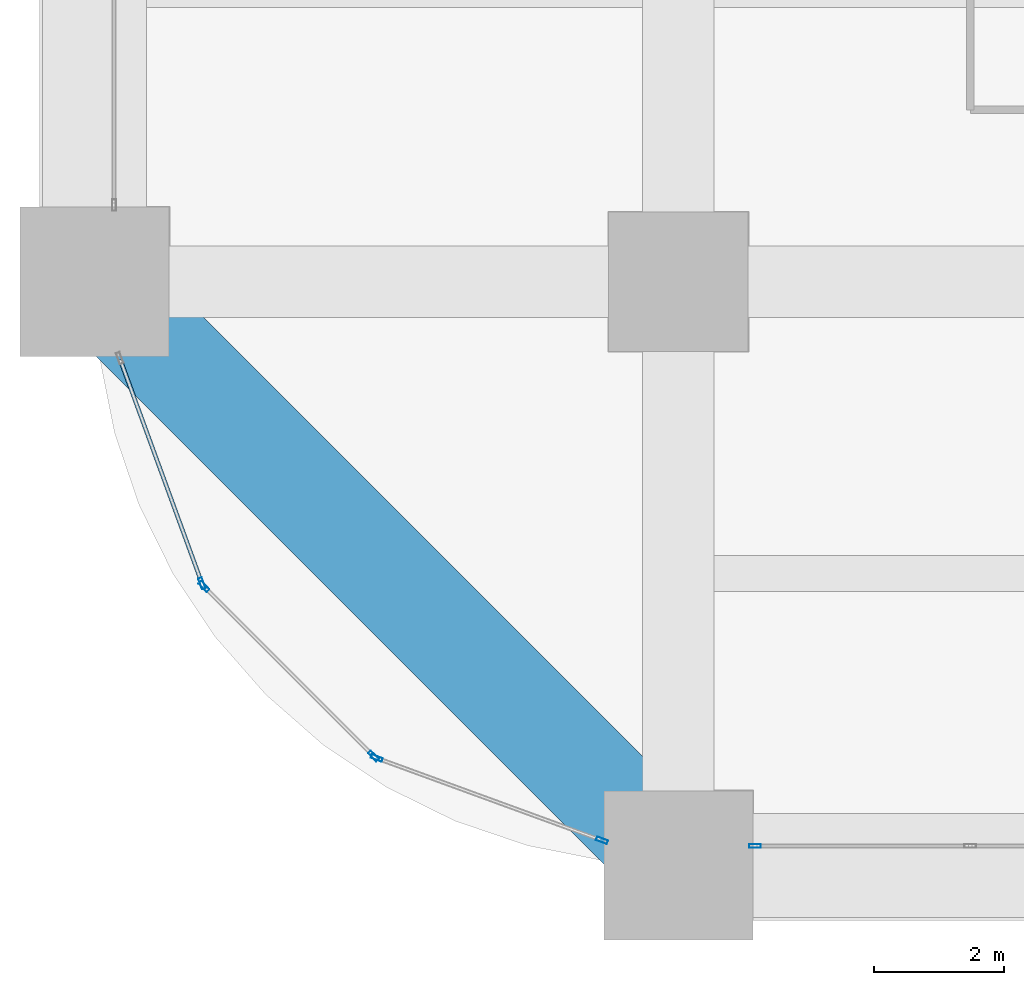
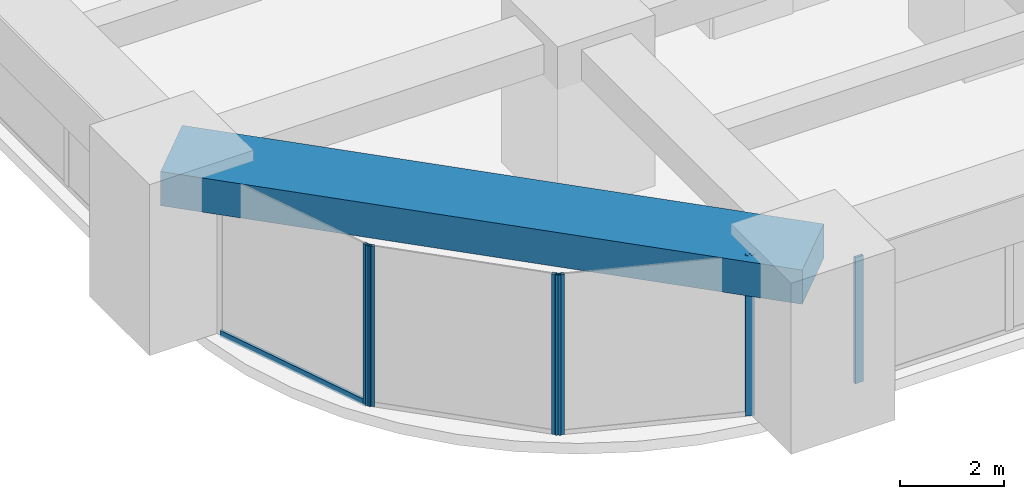
# One storey, part 2 of 43: 7 members, 1 beam, 4 elements without a shape of their own.
"""IFC4 building model written with IfcOpenShell, lengths in metres."""

import ifcopenshell
import ifcopenshell.guid

model = None  # the IFC model being written
_history = None  # IfcOwnerHistory: only IFC2X3 demands one
_inside = {}  # id of a spatial element -> (the spatial element, [elements in it])
_under = {}  # id of a project, library or spatial element -> (it, [spatial elements below it])
_declared = {}  # id of a project -> (the project, [libraries it declares])
_typed = {}  # id of a type object -> (the type object, [elements of that type])
_made_of = {}  # id of a material, layer set ... -> (it, [elements and type objects made of it])


def new_model(schema):
    """Start an empty IFC model of exactly this schema.

    Asked for "IFC4X3", IfcOpenShell would pick the latest addendum, in which some entities
    have other attributes; the version numbers below select the first issue.
    IFC2X3 requires an IfcOwnerHistory on every rooted entity: one is made here for all.
    """
    global model, _history
    if schema == "IFC4X3":
        model = ifcopenshell.file(schema_version=(4, 3, 0, 0))
    else:
        model = ifcopenshell.file(schema=schema)
    _inside.clear()
    _under.clear()
    _declared.clear()
    _typed.clear()
    _made_of.clear()
    _history = None
    if model.schema == "IFC2X3":
        org = make("IfcOrganization", Name="unknown")
        user = make(
            "IfcPersonAndOrganization",
            ThePerson=make("IfcPerson", FamilyName="unknown"),
            TheOrganization=org,
        )
        app = make(
            "IfcApplication",
            ApplicationDeveloper=org,
            Version="unknown",
            ApplicationFullName="unknown",
            ApplicationIdentifier="unknown",
        )
        _history = make(
            "IfcOwnerHistory",
            OwningUser=user,
            OwningApplication=app,
            ChangeAction="ADDED",
            CreationDate=0,
        )
    return model


def make(cls, **values):
    """One entity of the class cls with the attributes given. An attribute that is None is left unset."""
    return model.create_entity(
        cls, **{name: value for name, value in values.items() if value is not None}
    )


def rooted(cls, **values):
    """An entity with a GlobalId (a new one), such as an element, a storey or a relation."""
    return make(cls, GlobalId=ifcopenshell.guid.new(), OwnerHistory=_history, **values)


def si_unit(unit_type, name, prefix=None):
    """IfcSIUnit, for example si_unit("LENGTHUNIT", "METRE", prefix="MILLI")."""
    return make("IfcSIUnit", UnitType=unit_type, Prefix=prefix, Name=name)


def assignment(units):
    """IfcUnitAssignment: the units of a project."""
    return None if units is None else make("IfcUnitAssignment", Units=units)


def point(xyz):
    """IfcCartesianPoint."""
    return None if xyz is None else make("IfcCartesianPoint", Coordinates=xyz)


def direction(xyz):
    """IfcDirection."""
    return None if xyz is None else make("IfcDirection", DirectionRatios=xyz)


def frame(location, z_axis=None, x_axis=None):
    """IfcAxis2Placement3D, a coordinate frame: its origin and axes. An axis left out is left unset."""
    return make(
        "IfcAxis2Placement3D",
        Location=point(location),
        Axis=direction(z_axis),
        RefDirection=direction(x_axis),
    )


def frame_2d(location, x_axis=None):
    """IfcAxis2Placement2D, a coordinate frame in the plane: its origin and x axis."""
    return make(
        "IfcAxis2Placement2D", Location=point(location), RefDirection=direction(x_axis)
    )


def origin():
    """The frame at (0, 0, 0) with its axes left unset."""
    return frame((0.0, 0.0, 0.0))


def origin_2d():
    """The frame at (0, 0) in the plane with its x axis left unset."""
    return frame_2d((0.0, 0.0))


def place(relative_to, where):
    """IfcLocalPlacement: puts the frame where relative to a parent placement (None: the world)."""
    return make(
        "IfcLocalPlacement", PlacementRelTo=relative_to, RelativePlacement=where
    )


def context(
    kind, dimensions, precision=None, world=None, true_north=None, identifier=None
):
    """IfcGeometricRepresentationContext, for example the 3D "Model" context."""
    return make(
        "IfcGeometricRepresentationContext",
        ContextIdentifier=identifier,
        ContextType=kind,
        CoordinateSpaceDimension=dimensions,
        Precision=precision,
        WorldCoordinateSystem=world,
        TrueNorth=true_north,
    )


def subcontext(parent, identifier, kind, view, scale=None):
    """IfcGeometricRepresentationSubContext, for example "Body" below "Model"."""
    return make(
        "IfcGeometricRepresentationSubContext",
        ContextIdentifier=identifier,
        ContextType=kind,
        ParentContext=parent,
        TargetScale=scale,
        TargetView=view,
    )


def project(units=None, contexts=None):
    """IfcProject with its units and contexts."""
    return rooted(
        "IfcProject",
        Name="project",
        RepresentationContexts=contexts,
        UnitsInContext=assignment(units),
    )


def spatial(cls, under=None, at=None, **own):
    """A site, building, storey or space (cls), placed at a placement, below another one or the project."""
    s = rooted(cls, ObjectPlacement=at, **own)
    if under is not None:
        _under.setdefault(under.id(), (under, []))[1].append(s)
    return s


def profile(cls, at=None, kind="AREA", **sizes):
    """A parametric profile (cls). Its sizes go by their IFC names, for example OverallWidth=200.0."""
    return make(cls, ProfileType=kind, Position=at, **sizes)


def rectangle(**sizes):
    """IfcRectangleProfileDef."""
    return profile("IfcRectangleProfileDef", **sizes)


def hollow_rectangle(**sizes):
    """IfcRectangleHollowProfileDef."""
    return profile("IfcRectangleHollowProfileDef", **sizes)


def extrude(swept, where, along, depth):
    """IfcExtrudedAreaSolid: the profile swept, set in the frame where, extruded along a direction by depth."""
    return make(
        "IfcExtrudedAreaSolid",
        SweptArea=swept,
        Position=where,
        ExtrudedDirection=direction(along),
        Depth=depth,
    )


def shape(context_of_items, identifier, shape_type, items):
    """IfcShapeRepresentation: the items that make up one representation, for example the "Body"."""
    return make(
        "IfcShapeRepresentation",
        ContextOfItems=context_of_items,
        RepresentationIdentifier=identifier,
        RepresentationType=shape_type,
        Items=items,
    )


def material(Name=None, Category=None):
    """IfcMaterial."""
    return make("IfcMaterial", Name=Name, Category=Category)


def material_profile(
    of_material, cross_section, Name=None, Category=None, Priority=None
):
    """IfcMaterialProfile: a cross section and its material."""
    return make(
        "IfcMaterialProfile",
        Name=Name,
        Material=of_material,
        Profile=cross_section,
        Priority=Priority,
        Category=Category,
    )


def profile_set(profiles, Name=None, composite=None):
    """IfcMaterialProfileSet."""
    return make(
        "IfcMaterialProfileSet",
        Name=Name,
        MaterialProfiles=profiles,
        CompositeProfile=composite,
    )


def made_of(thing, what):
    """Note that an element or type object is made of a material, layer set ...; save() writes the relation."""
    if what is not None:
        _made_of.setdefault(what.id(), (what, []))[1].append(thing)
    return thing


def type_object(cls, material=None, **own):
    """A type object (cls), such as IfcWallType, which elements share."""
    return made_of(rooted(cls, **own), material)


def element(
    cls,
    number,
    at=None,
    inside=None,
    cuts=None,
    type_object=None,
    material=None,
    context=None,
    identifier="Body",
    shape_type=None,
    held_by="IfcProductDefinitionShape",
    body=None,
    shapes=None,
    **own,
):
    """One element of the class cls, such as IfcWall. Its Tag is "e" and its number.

    at: its placement. inside: the storey or other place that contains it. cuts: it is an
    opening in that element (IfcRelVoidsElement). A single representation is given by context,
    identifier, shape_type and body (its items); several are given by shapes. held_by: the class
    of the entity that holds the representations. save() writes the other relations.
    """
    e = rooted(cls, Tag="e%d" % number, ObjectPlacement=at, **own)
    if body is not None:
        shapes = [shape(context, identifier, shape_type, body)]
    if shapes is not None:
        e.Representation = make(held_by, Representations=shapes)
    if inside is not None:
        _inside.setdefault(inside.id(), (inside, []))[1].append(e)
    if cuts is not None:
        rooted(
            "IfcRelVoidsElement", RelatingBuildingElement=cuts, RelatedOpeningElement=e
        )
    if type_object is not None:
        _typed.setdefault(type_object.id(), (type_object, []))[1].append(e)
    return made_of(e, material)


def aggregate(whole, parts):
    """IfcRelAggregates: a whole, such as a stair, and the parts it consists of."""
    return rooted("IfcRelAggregates", RelatingObject=whole, RelatedObjects=parts)


def save(model, path):
    """Write the relations noted so far, then the file.

    IfcRelAggregates (storeys below a building ...), IfcRelContainedInSpatialStructure (elements
    in a storey), IfcRelDefinesByType, IfcRelAssociatesMaterial and IfcRelDeclares: one each for
    every whole, place, type object, material and project.
    """
    for whole, parts in _under.values():
        aggregate(whole, parts)
    for where, things in _inside.values():
        rooted(
            "IfcRelContainedInSpatialStructure",
            RelatedElements=things,
            RelatingStructure=where,
        )
    for kind, things in _typed.values():
        rooted("IfcRelDefinesByType", RelatedObjects=things, RelatingType=kind)
    for what, things in _made_of.values():
        rooted("IfcRelAssociatesMaterial", RelatedObjects=things, RelatingMaterial=what)
    for by, libraries in _declared.values():
        rooted("IfcRelDeclares", RelatingContext=by, RelatedDefinitions=libraries)
    model.write(path)


model = new_model("IFC4")

# Units and contexts
model_context = context("Model", 3, precision=1e-05, world=origin(), true_north=direction((0.0, 1.0)))
body_context = subcontext(model_context, "Body", "Model", "MODEL_VIEW")
ifc_project = project(units=[si_unit("LENGTHUNIT", "METRE"), si_unit("AREAUNIT", "SQUARE_METRE"), si_unit("VOLUMEUNIT", "CUBIC_METRE"), si_unit("PLANEANGLEUNIT", "RADIAN"), si_unit("MASSUNIT", "GRAM", prefix="KILO")], contexts=[model_context])

# Site, building, storey
site_placement = place(None, origin())
site = spatial("IfcSite", under=ifc_project, at=site_placement, CompositionType="ELEMENT")
building_placement = place(site_placement, origin())
building = spatial("IfcBuilding", under=site, at=building_placement, Name="Zorevar Civic Tower", CompositionType="ELEMENT")
storey_placement = place(building_placement, frame((0.0, 0.0, 67.800048828125)))
storey = spatial("IfcBuildingStorey", under=building, at=storey_placement, Name="L16", CompositionType="ELEMENT", Elevation=67.800048828125)

# Curtain wall, member
ifc_material_1 = material(Name="Dark grey solar-control glass in black aluminium frame", Category="aluminium")
curtain_wall_type = type_object("IfcCurtainWallType", Name="Curtain wall CW2 low zone", PredefinedType="NOTDEFINED", material=ifc_material_1)
curtain_wall_1_placement = place(storey_placement, origin())
curtain_wall_1 = element("IfcCurtainWall", 1, at=curtain_wall_1_placement, inside=storey, type_object=curtain_wall_type, Name="CW2 L16", PredefinedType="NOTDEFINED")
ifc_material_2 = material(Name="Aluminium, black anodised", Category="aluminium")
ifc_material_profile_1 = material_profile(ifc_material_2, hollow_rectangle(XDim=0.06005859375, YDim=0.179931640625, WallThickness=0.00390625, at=origin_2d()), Name="AL 180x60x4")
ifc_profile_set_1 = profile_set([ifc_material_profile_1], Name="Aluminium, black anodised")
member_type_1 = type_object("IfcMemberType", Name="CW2 mullion AL 180x60x4", PredefinedType="MULLION", material=ifc_profile_set_1)
member_1_placement = place(storey_placement, frame((10.179931640625, 0.300048828125, 0.0), z_axis=(0.0, 0.0, 1.0), x_axis=(0.0, 1.0, 0.0)))
member_1 = element("IfcMember", 2, at=member_1_placement, type_object=member_type_1, Name="CW2 mullion 1", PredefinedType="MULLION", context=body_context, shape_type="SweptSolid", body=[
    extrude(hollow_rectangle(XDim=0.06005859375, YDim=0.179931640625, WallThickness=0.00390625, at=origin_2d()), origin(), (0.0, 0.0, 1.0), 2.949951171875),
])
aggregate(curtain_wall_1, [member_1])

curtain_wall_2_placement = place(storey_placement, origin())
curtain_wall_2 = element("IfcCurtainWall", 3, at=curtain_wall_2_placement, inside=storey, type_object=curtain_wall_type, Name="CW2 L16", PredefinedType="NOTDEFINED")
member_2_placement = place(storey_placement, frame((1.65478515625, 4.349609375, 0.0), z_axis=(0.0, 0.0, 1.0), x_axis=(0.939313345732, 0.343060400701, 0.0)))
member_2 = element("IfcMember", 4, at=member_2_placement, type_object=member_type_1, Name="CW2 mullion 2", PredefinedType="MULLION", context=body_context, shape_type="SweptSolid", body=[
    extrude(hollow_rectangle(XDim=0.06005859375, YDim=0.179931640625, WallThickness=0.00390625, at=origin_2d()), origin(), (0.0, 0.0, 1.0), 3.75),
])

# Curtain wall, members
curtain_wall_3_placement = place(storey_placement, origin())
curtain_wall_3 = element("IfcCurtainWall", 5, at=curtain_wall_3_placement, inside=storey, type_object=curtain_wall_type, Name="CW2 L16", PredefinedType="NOTDEFINED")
member_3_placement = place(storey_placement, frame((1.686279296875, 4.30029296875, 0.0), z_axis=(0.0, 0.0, 1.0), x_axis=(0.707106781187, 0.707106781187, 0.0)))
member_3 = element("IfcMember", 6, at=member_3_placement, type_object=member_type_1, Name="CW2 mullion 1", PredefinedType="MULLION", context=body_context, shape_type="SweptSolid", body=[
    extrude(hollow_rectangle(XDim=0.06005859375, YDim=0.179931640625, WallThickness=0.00390625, at=origin_2d()), origin(), (0.0, 0.0, 1.0), 3.75),
])
member_4_placement = place(storey_placement, frame((4.30029296875, 1.686279296875, 0.0), z_axis=(0.0, 0.0, 1.0), x_axis=(0.707106781187, 0.707106781187, 0.0)))
member_4 = element("IfcMember", 7, at=member_4_placement, type_object=member_type_1, Name="CW2 mullion 2", PredefinedType="MULLION", context=body_context, shape_type="SweptSolid", body=[
    extrude(hollow_rectangle(XDim=0.06005859375, YDim=0.179931640625, WallThickness=0.00390625, at=origin_2d()), origin(), (0.0, 0.0, 1.0), 3.75),
])
aggregate(curtain_wall_3, [member_3, member_4])

curtain_wall_4_placement = place(storey_placement, origin())
curtain_wall_4 = element("IfcCurtainWall", 8, at=curtain_wall_4_placement, inside=storey, type_object=curtain_wall_type, Name="CW2 L16", PredefinedType="NOTDEFINED")
member_5_placement = place(storey_placement, frame((4.349609375, 1.65478515625, 0.0), z_axis=(0.0, 0.0, 1.0), x_axis=(0.343060400701, 0.939313345732, 0.0)))
member_5 = element("IfcMember", 9, at=member_5_placement, type_object=member_type_1, Name="CW2 mullion 1", PredefinedType="MULLION", context=body_context, shape_type="SweptSolid", body=[
    extrude(hollow_rectangle(XDim=0.06005859375, YDim=0.179931640625, WallThickness=0.00390625, at=origin_2d()), origin(), (0.0, 0.0, 1.0), 3.75),
])
member_6_placement = place(storey_placement, frame((7.82177734375, 0.38671875, 0.0), z_axis=(0.0, 0.0, 1.0), x_axis=(0.343060400701, 0.939313345732, 0.0)))
member_6 = element("IfcMember", 10, at=member_6_placement, type_object=member_type_1, Name="CW2 mullion 2", PredefinedType="MULLION", context=body_context, shape_type="SweptSolid", body=[
    extrude(hollow_rectangle(XDim=0.06005859375, YDim=0.179931640625, WallThickness=0.00390625, at=origin_2d()), origin(), (0.0, 0.0, 1.0), 3.75),
])
aggregate(curtain_wall_4, [member_5, member_6])

# Member
ifc_material_3 = material(Name="Aluminium, black anodised", Category="aluminium")
ifc_material_profile_2 = material_profile(ifc_material_3, hollow_rectangle(XDim=0.06005859375, YDim=0.14990234375, WallThickness=0.00390625, at=origin_2d()), Name="AL 150x60x4")
ifc_profile_set_2 = profile_set([ifc_material_profile_2], Name="Aluminium, black anodised")
member_type_2 = type_object("IfcMemberType", Name="CW2 transom AL 150x60x4", PredefinedType="USERDEFINED", material=ifc_profile_set_2)
member_7_placement = place(storey_placement, frame((0.39697265625, 7.793701171875, 0.030029296875), z_axis=(0.343047162808, -0.939318180432, 0.0), x_axis=(0.939318180432, 0.343047162808, 0.0)))
member_7 = element("IfcMember", 11, at=member_7_placement, type_object=member_type_2, Name="CW2 sill transom", ObjectType="TRANSOM", PredefinedType="USERDEFINED", context=body_context, shape_type="SweptSolid", body=[
    extrude(hollow_rectangle(XDim=0.06005859375, YDim=0.14990234375, WallThickness=0.00390625, at=origin_2d()), origin(), (0.0, 0.0, 1.0), 3.63671875),
])

aggregate(curtain_wall_2, [member_2, member_7])

# Beam
ifc_material_4 = material(Name="Concrete C50/60", Category="concrete")
ifc_material_profile_3 = material_profile(ifc_material_4, rectangle(XDim=1.60009765625, YDim=0.800048828125, at=origin_2d()), Name="RC 1600x800")
ifc_profile_set_3 = profile_set([ifc_material_profile_3], Name="Concrete C50/60")
beam_type = type_object("IfcBeamType", Name="Edge beam RC 1600x800", PredefinedType="SPANDREL", material=ifc_profile_set_3)
beam_placement = place(storey_placement, frame((0.0, 9.0, 3.349853515625), z_axis=(0.707106781187, -0.707106781187, 0.0), x_axis=(0.707106781187, 0.707106781187, 0.0)))
element("IfcBeam", 12, at=beam_placement, inside=storey, type_object=beam_type, Name="Corner edge beam L17", PredefinedType="SPANDREL", context=body_context, shape_type="SweptSolid", body=[
    extrude(rectangle(XDim=1.60009765625, YDim=0.800048828125, at=origin_2d()), origin(), (0.0, 0.0, 1.0), 12.72802734375),
])

save(model, "model.ifc")
